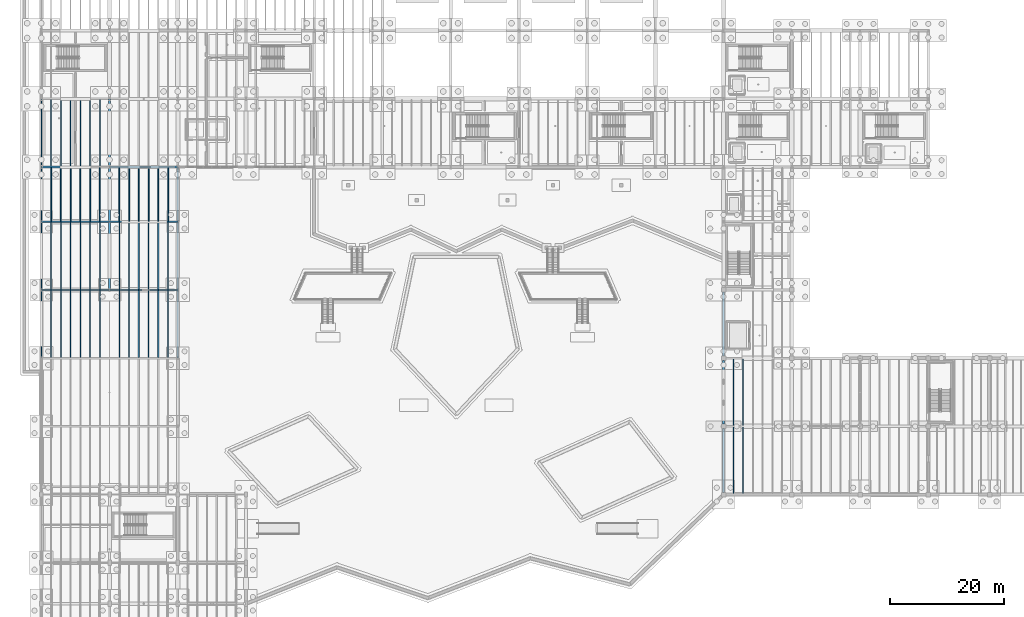
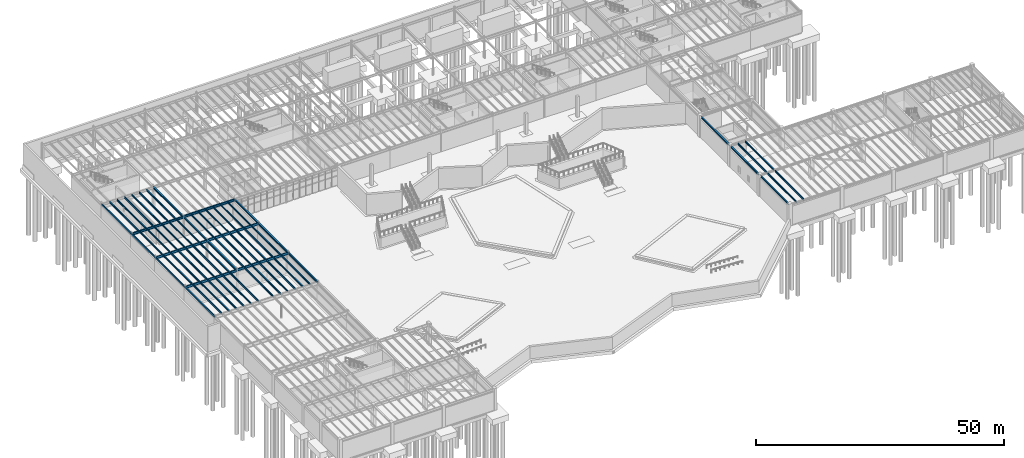
# One storey, part 22 of 67: 65 beams.
"""IFC4 building model written with IfcOpenShell, lengths in metres."""

import ifcopenshell
import ifcopenshell.guid

model = None  # the IFC model being written
_history = None  # IfcOwnerHistory: only IFC2X3 demands one
_inside = {}  # id of a spatial element -> (the spatial element, [elements in it])
_under = {}  # id of a project, library or spatial element -> (it, [spatial elements below it])
_declared = {}  # id of a project -> (the project, [libraries it declares])
_typed = {}  # id of a type object -> (the type object, [elements of that type])
_made_of = {}  # id of a material, layer set ... -> (it, [elements and type objects made of it])


def new_model(schema):
    """Start an empty IFC model of exactly this schema.

    Asked for "IFC4X3", IfcOpenShell would pick the latest addendum, in which some entities
    have other attributes; the version numbers below select the first issue.
    IFC2X3 requires an IfcOwnerHistory on every rooted entity: one is made here for all.
    """
    global model, _history
    if schema == "IFC4X3":
        model = ifcopenshell.file(schema_version=(4, 3, 0, 0))
    else:
        model = ifcopenshell.file(schema=schema)
    _inside.clear()
    _under.clear()
    _declared.clear()
    _typed.clear()
    _made_of.clear()
    _history = None
    if model.schema == "IFC2X3":
        org = make("IfcOrganization", Name="unknown")
        user = make(
            "IfcPersonAndOrganization",
            ThePerson=make("IfcPerson", FamilyName="unknown"),
            TheOrganization=org,
        )
        app = make(
            "IfcApplication",
            ApplicationDeveloper=org,
            Version="unknown",
            ApplicationFullName="unknown",
            ApplicationIdentifier="unknown",
        )
        _history = make(
            "IfcOwnerHistory",
            OwningUser=user,
            OwningApplication=app,
            ChangeAction="ADDED",
            CreationDate=0,
        )
    return model


def make(cls, **values):
    """One entity of the class cls with the attributes given. An attribute that is None is left unset."""
    return model.create_entity(
        cls, **{name: value for name, value in values.items() if value is not None}
    )


def rooted(cls, **values):
    """An entity with a GlobalId (a new one), such as an element, a storey or a relation."""
    return make(cls, GlobalId=ifcopenshell.guid.new(), OwnerHistory=_history, **values)


def si_unit(unit_type, name, prefix=None):
    """IfcSIUnit, for example si_unit("LENGTHUNIT", "METRE", prefix="MILLI")."""
    return make("IfcSIUnit", UnitType=unit_type, Prefix=prefix, Name=name)


def assignment(units):
    """IfcUnitAssignment: the units of a project."""
    return None if units is None else make("IfcUnitAssignment", Units=units)


def point(xyz):
    """IfcCartesianPoint."""
    return None if xyz is None else make("IfcCartesianPoint", Coordinates=xyz)


def direction(xyz):
    """IfcDirection."""
    return None if xyz is None else make("IfcDirection", DirectionRatios=xyz)


def frame(location, z_axis=None, x_axis=None):
    """IfcAxis2Placement3D, a coordinate frame: its origin and axes. An axis left out is left unset."""
    return make(
        "IfcAxis2Placement3D",
        Location=point(location),
        Axis=direction(z_axis),
        RefDirection=direction(x_axis),
    )


def frame_2d(location, x_axis=None):
    """IfcAxis2Placement2D, a coordinate frame in the plane: its origin and x axis."""
    return make(
        "IfcAxis2Placement2D", Location=point(location), RefDirection=direction(x_axis)
    )


def origin():
    """The frame at (0, 0, 0) with its axes left unset."""
    return frame((0.0, 0.0, 0.0))


def origin_2d():
    """The frame at (0, 0) in the plane with its x axis left unset."""
    return frame_2d((0.0, 0.0))


def place(relative_to, where):
    """IfcLocalPlacement: puts the frame where relative to a parent placement (None: the world)."""
    return make(
        "IfcLocalPlacement", PlacementRelTo=relative_to, RelativePlacement=where
    )


def context(
    kind, dimensions, precision=None, world=None, true_north=None, identifier=None
):
    """IfcGeometricRepresentationContext, for example the 3D "Model" context."""
    return make(
        "IfcGeometricRepresentationContext",
        ContextIdentifier=identifier,
        ContextType=kind,
        CoordinateSpaceDimension=dimensions,
        Precision=precision,
        WorldCoordinateSystem=world,
        TrueNorth=true_north,
    )


def subcontext(parent, identifier, kind, view, scale=None):
    """IfcGeometricRepresentationSubContext, for example "Body" below "Model"."""
    return make(
        "IfcGeometricRepresentationSubContext",
        ContextIdentifier=identifier,
        ContextType=kind,
        ParentContext=parent,
        TargetScale=scale,
        TargetView=view,
    )


def project(units=None, contexts=None):
    """IfcProject with its units and contexts."""
    return rooted(
        "IfcProject",
        Name="project",
        RepresentationContexts=contexts,
        UnitsInContext=assignment(units),
    )


def spatial(cls, under=None, at=None, **own):
    """A site, building, storey or space (cls), placed at a placement, below another one or the project."""
    s = rooted(cls, ObjectPlacement=at, **own)
    if under is not None:
        _under.setdefault(under.id(), (under, []))[1].append(s)
    return s


def profile(cls, at=None, kind="AREA", **sizes):
    """A parametric profile (cls). Its sizes go by their IFC names, for example OverallWidth=200.0."""
    return make(cls, ProfileType=kind, Position=at, **sizes)


def hollow_rectangle(**sizes):
    """IfcRectangleHollowProfileDef."""
    return profile("IfcRectangleHollowProfileDef", **sizes)


def i_section(**sizes):
    """IfcIShapeProfileDef."""
    return profile("IfcIShapeProfileDef", **sizes)


def extrude(swept, where, along, depth):
    """IfcExtrudedAreaSolid: the profile swept, set in the frame where, extruded along a direction by depth."""
    return make(
        "IfcExtrudedAreaSolid",
        SweptArea=swept,
        Position=where,
        ExtrudedDirection=direction(along),
        Depth=depth,
    )


def shape(context_of_items, identifier, shape_type, items):
    """IfcShapeRepresentation: the items that make up one representation, for example the "Body"."""
    return make(
        "IfcShapeRepresentation",
        ContextOfItems=context_of_items,
        RepresentationIdentifier=identifier,
        RepresentationType=shape_type,
        Items=items,
    )


def material(Name=None, Category=None):
    """IfcMaterial."""
    return make("IfcMaterial", Name=Name, Category=Category)


def material_profile(
    of_material, cross_section, Name=None, Category=None, Priority=None
):
    """IfcMaterialProfile: a cross section and its material."""
    return make(
        "IfcMaterialProfile",
        Name=Name,
        Material=of_material,
        Profile=cross_section,
        Priority=Priority,
        Category=Category,
    )


def profile_set(profiles, Name=None, composite=None):
    """IfcMaterialProfileSet."""
    return make(
        "IfcMaterialProfileSet",
        Name=Name,
        MaterialProfiles=profiles,
        CompositeProfile=composite,
    )


def made_of(thing, what):
    """Note that an element or type object is made of a material, layer set ...; save() writes the relation."""
    if what is not None:
        _made_of.setdefault(what.id(), (what, []))[1].append(thing)
    return thing


def type_object(cls, material=None, **own):
    """A type object (cls), such as IfcWallType, which elements share."""
    return made_of(rooted(cls, **own), material)


def element(
    cls,
    number,
    at=None,
    inside=None,
    cuts=None,
    type_object=None,
    material=None,
    context=None,
    identifier="Body",
    shape_type=None,
    held_by="IfcProductDefinitionShape",
    body=None,
    shapes=None,
    **own,
):
    """One element of the class cls, such as IfcWall. Its Tag is "e" and its number.

    at: its placement. inside: the storey or other place that contains it. cuts: it is an
    opening in that element (IfcRelVoidsElement). A single representation is given by context,
    identifier, shape_type and body (its items); several are given by shapes. held_by: the class
    of the entity that holds the representations. save() writes the other relations.
    """
    e = rooted(cls, Tag="e%d" % number, ObjectPlacement=at, **own)
    if body is not None:
        shapes = [shape(context, identifier, shape_type, body)]
    if shapes is not None:
        e.Representation = make(held_by, Representations=shapes)
    if inside is not None:
        _inside.setdefault(inside.id(), (inside, []))[1].append(e)
    if cuts is not None:
        rooted(
            "IfcRelVoidsElement", RelatingBuildingElement=cuts, RelatedOpeningElement=e
        )
    if type_object is not None:
        _typed.setdefault(type_object.id(), (type_object, []))[1].append(e)
    return made_of(e, material)


def aggregate(whole, parts):
    """IfcRelAggregates: a whole, such as a stair, and the parts it consists of."""
    return rooted("IfcRelAggregates", RelatingObject=whole, RelatedObjects=parts)


def save(model, path):
    """Write the relations noted so far, then the file.

    IfcRelAggregates (storeys below a building ...), IfcRelContainedInSpatialStructure (elements
    in a storey), IfcRelDefinesByType, IfcRelAssociatesMaterial and IfcRelDeclares: one each for
    every whole, place, type object, material and project.
    """
    for whole, parts in _under.values():
        aggregate(whole, parts)
    for where, things in _inside.values():
        rooted(
            "IfcRelContainedInSpatialStructure",
            RelatedElements=things,
            RelatingStructure=where,
        )
    for kind, things in _typed.values():
        rooted("IfcRelDefinesByType", RelatedObjects=things, RelatingType=kind)
    for what, things in _made_of.values():
        rooted("IfcRelAssociatesMaterial", RelatedObjects=things, RelatingMaterial=what)
    for by, libraries in _declared.values():
        rooted("IfcRelDeclares", RelatingContext=by, RelatedDefinitions=libraries)
    model.write(path)


model = new_model("IFC4")

# Units and contexts
model_context = context("Model", 3, precision=1e-05, world=origin(), true_north=direction((0.0, 1.0)))
body_context = subcontext(model_context, "Body", "Model", "MODEL_VIEW")
ifc_project = project(units=[si_unit("LENGTHUNIT", "METRE"), si_unit("AREAUNIT", "SQUARE_METRE"), si_unit("VOLUMEUNIT", "CUBIC_METRE"), si_unit("PLANEANGLEUNIT", "RADIAN"), si_unit("MASSUNIT", "GRAM", prefix="KILO")], contexts=[model_context])

# Site, building, storey
site_placement = place(None, origin())
site = spatial("IfcSite", under=ifc_project, at=site_placement, CompositionType="ELEMENT")
building_placement = place(site_placement, origin())
building = spatial("IfcBuilding", under=site, at=building_placement, Name="Zlatogorsky Bluff Art Gallery", CompositionType="ELEMENT")
storey_placement = place(building_placement, frame((0.0, 0.0, -5.39990234375)))
storey = spatial("IfcBuildingStorey", under=building, at=storey_placement, Name="B1", CompositionType="ELEMENT", Elevation=-5.39990234375)

# Beams
ifc_material = material(Name="Steel S355", Category="steel")
ifc_material_profile_1 = material_profile(ifc_material, i_section(OverallWidth=0.300048828125, OverallDepth=0.550048828125, WebThickness=0.014892578125, FlangeThickness=0.029052734375, FilletRadius=0.027099609375, at=origin_2d()), Name="HEB 550")
ifc_profile_set_1 = profile_set([ifc_material_profile_1], Name="Steel S355")
beam_type_1 = type_object("IfcBeamType", Name="Beam BM-01 HEB 550", PredefinedType="BEAM", material=ifc_profile_set_1)
for number, where, z_axis, x_axis, name in (
    (1, (0.014892578125, 84.0, 4.764892578125), (1.0, 0.0, 0.0), (0.0, 1.0, 0.0), "Primary girder BM-01 B1 A-B/9"),
    (2, (12.014892578125, 84.0, 4.844970703125), (1.0, 0.0, 0.0), (0.0, 1.0, 0.0), "Primary girder BM-01 B1 B-C/9"),
):
    element("IfcBeam", number, at=place(storey_placement, frame(where, z_axis=z_axis, x_axis=x_axis)), inside=storey, type_object=beam_type_1, Name=name, PredefinedType="BEAM", context=body_context, shape_type="SweptSolid", body=[
        extrude(i_section(OverallWidth=0.300048828125, OverallDepth=0.550048828125, WebThickness=0.014892578125, FlangeThickness=0.029052734375, FilletRadius=0.027099609375, at=origin_2d()), origin(), (0.0, 0.0, 1.0), 11.97021484375),
    ])
ifc_material_profile_2 = material_profile(ifc_material, i_section(OverallWidth=0.300048828125, OverallDepth=0.489990234375, WebThickness=0.011962890625, FlangeThickness=0.02294921875, FilletRadius=0.027099609375, at=origin_2d()), Name="HEA 500")
ifc_profile_set_2 = profile_set([ifc_material_profile_2], Name="Steel S355")
beam_type_2 = type_object("IfcBeamType", Name="Beam BM-07 HEA 500", PredefinedType="BEAM", material=ifc_profile_set_2)
beam_1_placement = place(storey_placement, frame((12.0, 62.4150390625, 4.875), z_axis=(0.0, 1.0, 0.0), x_axis=(-1.0, 0.0, 0.0)))
element("IfcBeam", 3, at=beam_1_placement, inside=storey, type_object=beam_type_2, Name="Primary girder BM-07 B1 B/7-8", PredefinedType="BEAM", context=body_context, shape_type="SweptSolid", body=[
    extrude(i_section(OverallWidth=0.300048828125, OverallDepth=0.489990234375, WebThickness=0.011962890625, FlangeThickness=0.02294921875, FilletRadius=0.027099609375, at=origin_2d()), origin(), (0.0, 0.0, 1.0), 11.969970703125),
])
beam_2_placement = place(storey_placement, frame((12.0, 84.014892578125, 4.875), z_axis=(0.0, 1.0, 0.0), x_axis=(-1.0, 0.0, 0.0)))
element("IfcBeam", 4, at=beam_2_placement, inside=storey, type_object=beam_type_2, Name="Primary girder BM-07 B1 B/9-10", PredefinedType="BEAM", context=body_context, shape_type="SweptSolid", body=[
    extrude(i_section(OverallWidth=0.300048828125, OverallDepth=0.489990234375, WebThickness=0.011962890625, FlangeThickness=0.02294921875, FilletRadius=0.027099609375, at=origin_2d()), origin(), (0.0, 0.0, 1.0), 11.97021484375),
])
for number, where, z_axis, x_axis, name in (
    (5, (24.0, 50.4150390625, 4.875), (0.0, 1.0, 0.0), (-1.0, 0.0, 0.0), "Primary girder BM-07 B1 C/6-7"),
    (6, (24.0, 62.4150390625, 4.875), (0.0, 1.0, 0.0), (-1.0, 0.0, 0.0), "Primary girder BM-07 B1 C/7-8"),
):
    element("IfcBeam", number, at=place(storey_placement, frame(where, z_axis=z_axis, x_axis=x_axis)), inside=storey, type_object=beam_type_2, Name=name, PredefinedType="BEAM", context=body_context, shape_type="SweptSolid", body=[
        extrude(i_section(OverallWidth=0.300048828125, OverallDepth=0.489990234375, WebThickness=0.011962890625, FlangeThickness=0.02294921875, FilletRadius=0.027099609375, at=origin_2d()), origin(), (0.0, 0.0, 1.0), 11.969970703125),
    ])
ifc_material_profile_3 = material_profile(ifc_material, i_section(OverallWidth=0.300048828125, OverallDepth=0.389892578125, WebThickness=0.010986328125, FlangeThickness=0.01904296875, FilletRadius=0.027099609375, at=origin_2d()), Name="HEA 400")
ifc_profile_set_3 = profile_set([ifc_material_profile_3], Name="Steel S355")
beam_type_3 = type_object("IfcBeamType", Name="Beam BM-09 HEA 400", PredefinedType="BEAM", material=ifc_profile_set_3)
for number, where, z_axis, x_axis, name in (
    (7, (120.0, 26.780029296875, 4.9248046875), (0.0, 1.0, 0.0), (-1.0, 0.0, 0.0), "Primary girder BM-09 B1 L/4-5"),
    (8, (120.0, 38.780029296875, 4.9248046875), (0.0, 1.0, 0.0), (-1.0, 0.0, 0.0), "Primary girder BM-09 B1 L/5-6"),
    (9, (120.0, 50.780029296875, 4.9248046875), (0.0, 1.0, 0.0), (-1.0, 0.0, 0.0), "Primary girder BM-09 B1 L/6-7"),
):
    element("IfcBeam", number, at=place(storey_placement, frame(where, z_axis=z_axis, x_axis=x_axis)), inside=storey, type_object=beam_type_3, Name=name, PredefinedType="BEAM", context=body_context, shape_type="SweptSolid", body=[
        extrude(i_section(OverallWidth=0.300048828125, OverallDepth=0.389892578125, WebThickness=0.010986328125, FlangeThickness=0.01904296875, FilletRadius=0.027099609375, at=origin_2d()), origin(), (0.0, 0.0, 1.0), 11.239990234375),
    ])
ifc_material_profile_4 = material_profile(ifc_material, i_section(OverallWidth=0.300048828125, OverallDepth=0.35009765625, WebThickness=0.010009765625, FlangeThickness=0.017578125, FilletRadius=0.027099609375, at=origin_2d()), Name="HEA 360")
ifc_profile_set_4 = profile_set([ifc_material_profile_4], Name="Steel S355")
beam_type_4 = type_object("IfcBeamType", Name="Beam BM-10 HEA 360", PredefinedType="BEAM", material=ifc_profile_set_4)
for number, where, z_axis, x_axis, name in (
    (10, (12.0, 74.4150390625, 4.94482421875), (0.0, 1.0, 0.0), (-1.0, 0.0, 0.0), "Primary girder BM-10 B1 B/8-9"),
    (11, (24.0, 74.4150390625, 4.94482421875), (0.0, 1.0, 0.0), (-1.0, 0.0, 0.0), "Primary girder BM-10 B1 C/8-9"),
):
    element("IfcBeam", number, at=place(storey_placement, frame(where, z_axis=z_axis, x_axis=x_axis)), inside=storey, type_object=beam_type_4, Name=name, PredefinedType="BEAM", context=body_context, shape_type="SweptSolid", body=[
        extrude(i_section(OverallWidth=0.300048828125, OverallDepth=0.35009765625, WebThickness=0.010009765625, FlangeThickness=0.017578125, FilletRadius=0.027099609375, at=origin_2d()), origin(), (0.0, 0.0, 1.0), 9.570068359375),
    ])
ifc_material_profile_5 = material_profile(ifc_material, i_section(OverallWidth=0.219970703125, OverallDepth=0.60009765625, WebThickness=0.011962890625, FlangeThickness=0.01904296875, FilletRadius=0.02392578125, at=origin_2d()), Name="IPE 600")
ifc_profile_set_5 = profile_set([ifc_material_profile_5], Name="Steel S355")
beam_type_5 = type_object("IfcBeamType", Name="Beam BM-13 IPE 600", PredefinedType="BEAM", material=ifc_profile_set_5)
for number, where, z_axis, x_axis, name in (
    (12, (0.014892578125, 62.39990234375, 4.739990234375), (1.0, 0.0, 0.0), (0.0, 1.0, 0.0), "Primary girder BM-13 B1 A-B/7"),
    (13, (0.014892578125, 74.39990234375, 4.739990234375), (1.0, 0.0, 0.0), (0.0, 1.0, 0.0), "Primary girder BM-13 B1 A-B/8"),
    (14, (12.014892578125, 62.39990234375, 4.81982421875), (1.0, 0.0, 0.0), (0.0, 1.0, 0.0), "Primary girder BM-13 B1 B-C/7"),
    (15, (12.014892578125, 74.39990234375, 4.81982421875), (1.0, 0.0, 0.0), (0.0, 1.0, 0.0), "Primary girder BM-13 B1 B-C/8"),
):
    element("IfcBeam", number, at=place(storey_placement, frame(where, z_axis=z_axis, x_axis=x_axis)), inside=storey, type_object=beam_type_5, Name=name, PredefinedType="BEAM", context=body_context, shape_type="SweptSolid", body=[
        extrude(i_section(OverallWidth=0.219970703125, OverallDepth=0.60009765625, WebThickness=0.011962890625, FlangeThickness=0.01904296875, FilletRadius=0.02392578125, at=origin_2d()), origin(), (0.0, 0.0, 1.0), 11.97021484375),
    ])
ifc_material_profile_6 = material_profile(ifc_material, i_section(OverallWidth=0.169921875, OverallDepth=0.360107421875, WebThickness=0.008056640625, FlangeThickness=0.0126953125, FilletRadius=0.01806640625, at=origin_2d()), Name="IPE 360")
ifc_profile_set_6 = profile_set([ifc_material_profile_6], Name="Steel S355")
beam_type_6 = type_object("IfcBeamType", Name="Beam JS-04 IPE 360", PredefinedType="JOIST", material=ifc_profile_set_6)
for number, where, z_axis, x_axis, name in (
    (16, (1.71435546875, 74.510009765625, 4.93994140625), (0.0, 1.0, 0.0), (-1.0, 0.0, 0.0), "Composite floor joist JS-04 B1 00.07.1"),
    (17, (3.428466796875, 74.510009765625, 4.93994140625), (0.0, 1.0, 0.0), (-1.0, 0.0, 0.0), "Composite floor joist JS-04 B1 00.07.2"),
    (18, (5.142822265625, 74.510009765625, 4.93994140625), (0.0, 1.0, 0.0), (-1.0, 0.0, 0.0), "Composite floor joist JS-04 B1 00.07.3"),
    (19, (6.857177734375, 74.510009765625, 4.93994140625), (0.0, 1.0, 0.0), (-1.0, 0.0, 0.0), "Composite floor joist JS-04 B1 00.07.4"),
    (20, (8.571533203125, 74.510009765625, 4.93994140625), (0.0, 1.0, 0.0), (-1.0, 0.0, 0.0), "Composite floor joist JS-04 B1 00.07.5"),
    (21, (10.28564453125, 74.510009765625, 4.93994140625), (0.0, 1.0, 0.0), (-1.0, 0.0, 0.0), "Composite floor joist JS-04 B1 00.07.6"),
    (22, (13.71435546875, 74.510009765625, 4.93994140625), (0.0, 1.0, 0.0), (-1.0, 0.0, 0.0), "Composite floor joist JS-04 B1 01.07.1"),
    (23, (15.428466796875, 74.510009765625, 4.93994140625), (0.0, 1.0, 0.0), (-1.0, 0.0, 0.0), "Composite floor joist JS-04 B1 01.07.2"),
    (24, (17.142822265625, 74.510009765625, 4.93994140625), (0.0, 1.0, 0.0), (-1.0, 0.0, 0.0), "Composite floor joist JS-04 B1 01.07.3"),
    (25, (18.857177734375, 74.510009765625, 4.93994140625), (0.0, 1.0, 0.0), (-1.0, 0.0, 0.0), "Composite floor joist JS-04 B1 01.07.4"),
    (26, (20.571533203125, 74.510009765625, 4.93994140625), (0.0, 1.0, 0.0), (-1.0, 0.0, 0.0), "Composite floor joist JS-04 B1 01.07.5"),
    (27, (22.28564453125, 74.510009765625, 4.93994140625), (0.0, 1.0, 0.0), (-1.0, 0.0, 0.0), "Composite floor joist JS-04 B1 01.07.6"),
):
    element("IfcBeam", number, at=place(storey_placement, frame(where, z_axis=z_axis, x_axis=x_axis)), inside=storey, type_object=beam_type_6, Name=name, PredefinedType="JOIST", context=body_context, shape_type="SweptSolid", body=[
        extrude(i_section(OverallWidth=0.169921875, OverallDepth=0.360107421875, WebThickness=0.008056640625, FlangeThickness=0.0126953125, FilletRadius=0.01806640625, at=origin_2d()), origin(), (0.0, 0.0, 1.0), 9.340087890625),
    ])
ifc_material_profile_7 = material_profile(ifc_material, i_section(OverallWidth=0.18994140625, OverallDepth=0.449951171875, WebThickness=0.009521484375, FlangeThickness=0.0146484375, FilletRadius=0.02099609375, at=origin_2d()), Name="IPE 450")
ifc_profile_set_7 = profile_set([ifc_material_profile_7], Name="Steel S355")
beam_type_7 = type_object("IfcBeamType", Name="Beam JS-06 IPE 450", PredefinedType="JOIST", material=ifc_profile_set_7)
for number, where, z_axis, x_axis, name in (
    (28, (1.71435546875, 50.550048828125, 4.89501953125), (0.0, 1.0, 0.0), (-1.0, 0.0, 0.0), "Composite floor joist JS-06 B1 00.05.1"),
    (29, (3.428466796875, 50.550048828125, 4.89501953125), (0.0, 1.0, 0.0), (-1.0, 0.0, 0.0), "Composite floor joist JS-06 B1 00.05.2"),
    (30, (5.142822265625, 50.550048828125, 4.89501953125), (0.0, 1.0, 0.0), (-1.0, 0.0, 0.0), "Composite floor joist JS-06 B1 00.05.3"),
    (31, (6.857177734375, 50.550048828125, 4.89501953125), (0.0, 1.0, 0.0), (-1.0, 0.0, 0.0), "Composite floor joist JS-06 B1 00.05.4"),
    (32, (8.571533203125, 50.550048828125, 4.89501953125), (0.0, 1.0, 0.0), (-1.0, 0.0, 0.0), "Composite floor joist JS-06 B1 00.05.5"),
    (33, (10.28564453125, 50.550048828125, 4.89501953125), (0.0, 1.0, 0.0), (-1.0, 0.0, 0.0), "Composite floor joist JS-06 B1 00.05.6"),
):
    element("IfcBeam", number, at=place(storey_placement, frame(where, z_axis=z_axis, x_axis=x_axis)), inside=storey, type_object=beam_type_7, Name=name, PredefinedType="JOIST", context=body_context, shape_type="SweptSolid", body=[
        extrude(i_section(OverallWidth=0.18994140625, OverallDepth=0.449951171875, WebThickness=0.009521484375, FlangeThickness=0.0146484375, FilletRadius=0.02099609375, at=origin_2d()), origin(), (0.0, 0.0, 1.0), 11.739990234375),
    ])
for number, where, z_axis, x_axis, name in (
    (34, (1.71435546875, 62.510009765625, 4.89501953125), (0.0, 1.0, 0.0), (-1.0, 0.0, 0.0), "Composite floor joist JS-06 B1 00.06.1"),
    (35, (3.428466796875, 62.510009765625, 4.89501953125), (0.0, 1.0, 0.0), (-1.0, 0.0, 0.0), "Composite floor joist JS-06 B1 00.06.2"),
    (36, (5.142822265625, 62.510009765625, 4.89501953125), (0.0, 1.0, 0.0), (-1.0, 0.0, 0.0), "Composite floor joist JS-06 B1 00.06.3"),
    (37, (6.857177734375, 62.510009765625, 4.89501953125), (0.0, 1.0, 0.0), (-1.0, 0.0, 0.0), "Composite floor joist JS-06 B1 00.06.4"),
    (38, (8.571533203125, 62.510009765625, 4.89501953125), (0.0, 1.0, 0.0), (-1.0, 0.0, 0.0), "Composite floor joist JS-06 B1 00.06.5"),
    (39, (10.28564453125, 62.510009765625, 4.89501953125), (0.0, 1.0, 0.0), (-1.0, 0.0, 0.0), "Composite floor joist JS-06 B1 00.06.6"),
):
    element("IfcBeam", number, at=place(storey_placement, frame(where, z_axis=z_axis, x_axis=x_axis)), inside=storey, type_object=beam_type_7, Name=name, PredefinedType="JOIST", context=body_context, shape_type="SweptSolid", body=[
        extrude(i_section(OverallWidth=0.18994140625, OverallDepth=0.449951171875, WebThickness=0.009521484375, FlangeThickness=0.0146484375, FilletRadius=0.02099609375, at=origin_2d()), origin(), (0.0, 0.0, 1.0), 11.780029296875),
    ])
for number, where, z_axis, x_axis, name in (
    (40, (1.71435546875, 84.14990234375, 4.89501953125), (0.0, 1.0, 0.0), (-1.0, 0.0, 0.0), "Composite floor joist JS-06 B1 00.08.1"),
    (41, (3.428466796875, 84.14990234375, 4.89501953125), (0.0, 1.0, 0.0), (-1.0, 0.0, 0.0), "Composite floor joist JS-06 B1 00.08.2"),
    (42, (5.142822265625, 84.14990234375, 4.89501953125), (0.0, 1.0, 0.0), (-1.0, 0.0, 0.0), "Composite floor joist JS-06 B1 00.08.3"),
    (43, (6.857177734375, 84.14990234375, 4.89501953125), (0.0, 1.0, 0.0), (-1.0, 0.0, 0.0), "Composite floor joist JS-06 B1 00.08.4"),
    (44, (8.571533203125, 84.14990234375, 4.89501953125), (0.0, 1.0, 0.0), (-1.0, 0.0, 0.0), "Composite floor joist JS-06 B1 00.08.5"),
    (45, (10.28564453125, 84.14990234375, 4.89501953125), (0.0, 1.0, 0.0), (-1.0, 0.0, 0.0), "Composite floor joist JS-06 B1 00.08.6"),
):
    element("IfcBeam", number, at=place(storey_placement, frame(where, z_axis=z_axis, x_axis=x_axis)), inside=storey, type_object=beam_type_7, Name=name, PredefinedType="JOIST", context=body_context, shape_type="SweptSolid", body=[
        extrude(i_section(OverallWidth=0.18994140625, OverallDepth=0.449951171875, WebThickness=0.009521484375, FlangeThickness=0.0146484375, FilletRadius=0.02099609375, at=origin_2d()), origin(), (0.0, 0.0, 1.0), 11.7001953125),
    ])
for number, where, z_axis, x_axis, name in (
    (46, (13.71435546875, 50.550048828125, 4.89501953125), (0.0, 1.0, 0.0), (-1.0, 0.0, 0.0), "Composite floor joist JS-06 B1 01.05.1"),
    (47, (15.428466796875, 50.550048828125, 4.89501953125), (0.0, 1.0, 0.0), (-1.0, 0.0, 0.0), "Composite floor joist JS-06 B1 01.05.2"),
    (48, (17.142822265625, 50.550048828125, 4.89501953125), (0.0, 1.0, 0.0), (-1.0, 0.0, 0.0), "Composite floor joist JS-06 B1 01.05.3"),
    (49, (18.857177734375, 50.550048828125, 4.89501953125), (0.0, 1.0, 0.0), (-1.0, 0.0, 0.0), "Composite floor joist JS-06 B1 01.05.4"),
    (50, (20.571533203125, 50.550048828125, 4.89501953125), (0.0, 1.0, 0.0), (-1.0, 0.0, 0.0), "Composite floor joist JS-06 B1 01.05.5"),
    (51, (22.28564453125, 50.550048828125, 4.89501953125), (0.0, 1.0, 0.0), (-1.0, 0.0, 0.0), "Composite floor joist JS-06 B1 01.05.6"),
):
    element("IfcBeam", number, at=place(storey_placement, frame(where, z_axis=z_axis, x_axis=x_axis)), inside=storey, type_object=beam_type_7, Name=name, PredefinedType="JOIST", context=body_context, shape_type="SweptSolid", body=[
        extrude(i_section(OverallWidth=0.18994140625, OverallDepth=0.449951171875, WebThickness=0.009521484375, FlangeThickness=0.0146484375, FilletRadius=0.02099609375, at=origin_2d()), origin(), (0.0, 0.0, 1.0), 11.739990234375),
    ])
for number, where, z_axis, x_axis, name in (
    (52, (13.71435546875, 62.510009765625, 4.89501953125), (0.0, 1.0, 0.0), (-1.0, 0.0, 0.0), "Composite floor joist JS-06 B1 01.06.1"),
    (53, (15.428466796875, 62.510009765625, 4.89501953125), (0.0, 1.0, 0.0), (-1.0, 0.0, 0.0), "Composite floor joist JS-06 B1 01.06.2"),
    (54, (17.142822265625, 62.510009765625, 4.89501953125), (0.0, 1.0, 0.0), (-1.0, 0.0, 0.0), "Composite floor joist JS-06 B1 01.06.3"),
    (55, (18.857177734375, 62.510009765625, 4.89501953125), (0.0, 1.0, 0.0), (-1.0, 0.0, 0.0), "Composite floor joist JS-06 B1 01.06.4"),
    (56, (20.571533203125, 62.510009765625, 4.89501953125), (0.0, 1.0, 0.0), (-1.0, 0.0, 0.0), "Composite floor joist JS-06 B1 01.06.5"),
    (57, (22.28564453125, 62.510009765625, 4.89501953125), (0.0, 1.0, 0.0), (-1.0, 0.0, 0.0), "Composite floor joist JS-06 B1 01.06.6"),
):
    element("IfcBeam", number, at=place(storey_placement, frame(where, z_axis=z_axis, x_axis=x_axis)), inside=storey, type_object=beam_type_7, Name=name, PredefinedType="JOIST", context=body_context, shape_type="SweptSolid", body=[
        extrude(i_section(OverallWidth=0.18994140625, OverallDepth=0.449951171875, WebThickness=0.009521484375, FlangeThickness=0.0146484375, FilletRadius=0.02099609375, at=origin_2d()), origin(), (0.0, 0.0, 1.0), 11.780029296875),
    ])
for number, where, z_axis, x_axis, name in (
    (58, (121.71435546875, 26.550048828125, 4.89501953125), (0.0, 1.0, 0.0), (-1.0, 0.0, 0.0), "Composite floor joist JS-06 B1 10.03.1"),
    (59, (123.428466796875, 26.550048828125, 4.89501953125), (0.0, 1.0, 0.0), (-1.0, 0.0, 0.0), "Composite floor joist JS-06 B1 10.03.2"),
    (60, (121.71435546875, 38.550048828125, 4.89501953125), (0.0, 1.0, 0.0), (-1.0, 0.0, 0.0), "Composite floor joist JS-06 B1 10.04.1"),
    (61, (123.428466796875, 38.550048828125, 4.89501953125), (0.0, 1.0, 0.0), (-1.0, 0.0, 0.0), "Composite floor joist JS-06 B1 10.04.2"),
):
    element("IfcBeam", number, at=place(storey_placement, frame(where, z_axis=z_axis, x_axis=x_axis)), inside=storey, type_object=beam_type_7, Name=name, PredefinedType="JOIST", context=body_context, shape_type="SweptSolid", body=[
        extrude(i_section(OverallWidth=0.18994140625, OverallDepth=0.449951171875, WebThickness=0.009521484375, FlangeThickness=0.0146484375, FilletRadius=0.02099609375, at=origin_2d()), origin(), (0.0, 0.0, 1.0), 11.699951171875),
    ])
ifc_material_profile_8 = material_profile(ifc_material, hollow_rectangle(XDim=0.199951171875, YDim=0.39990234375, WallThickness=0.01611328125, at=origin_2d()), Name="RHS 400x200x16")
ifc_profile_set_8 = profile_set([ifc_material_profile_8], Name="Steel S355")
beam_type_8 = type_object("IfcBeamType", Name="Beam SP-02 RHS 400x200x16", PredefinedType="SPANDREL", material=ifc_profile_set_8)
for number, where, z_axis, x_axis, name in (
    (62, (0.0, 50.4150390625, 4.83984375), (0.0, 1.0, 0.0), (-1.0, 0.0, 0.0), "Primary girder SP-02 B1 A/6-7"),
    (63, (0.0, 62.4150390625, 4.83984375), (0.0, 1.0, 0.0), (-1.0, 0.0, 0.0), "Primary girder SP-02 B1 A/7-8"),
):
    element("IfcBeam", number, at=place(storey_placement, frame(where, z_axis=z_axis, x_axis=x_axis)), inside=storey, type_object=beam_type_8, Name=name, PredefinedType="SPANDREL", context=body_context, shape_type="SweptSolid", body=[
        extrude(hollow_rectangle(XDim=0.199951171875, YDim=0.39990234375, WallThickness=0.01611328125, at=origin_2d()), origin(), (0.0, 0.0, 1.0), 11.969970703125),
    ])
beam_3_placement = place(storey_placement, frame((0.0, 74.4150390625, 4.83984375), z_axis=(0.0, 1.0, 0.0), x_axis=(-1.0, 0.0, 0.0)))
element("IfcBeam", 64, at=beam_3_placement, inside=storey, type_object=beam_type_8, Name="Primary girder SP-02 B1 A/8-9", PredefinedType="SPANDREL", context=body_context, shape_type="SweptSolid", body=[
    extrude(hollow_rectangle(XDim=0.199951171875, YDim=0.39990234375, WallThickness=0.01611328125, at=origin_2d()), origin(), (0.0, 0.0, 1.0), 9.570068359375),
])
beam_4_placement = place(storey_placement, frame((0.0, 84.014892578125, 4.83984375), z_axis=(0.0, 1.0, 0.0), x_axis=(-1.0, 0.0, 0.0)))
element("IfcBeam", 65, at=beam_4_placement, inside=storey, type_object=beam_type_8, Name="Primary girder SP-02 B1 A/9-10", PredefinedType="SPANDREL", context=body_context, shape_type="SweptSolid", body=[
    extrude(hollow_rectangle(XDim=0.199951171875, YDim=0.39990234375, WallThickness=0.01611328125, at=origin_2d()), origin(), (0.0, 0.0, 1.0), 11.97021484375),
])

save(model, "model.ifc")
